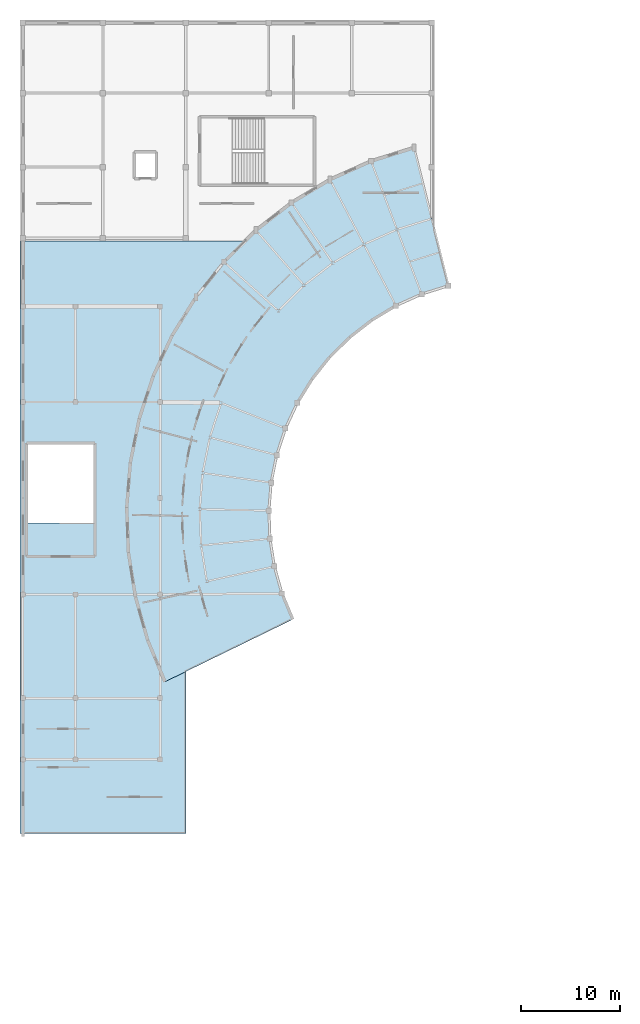
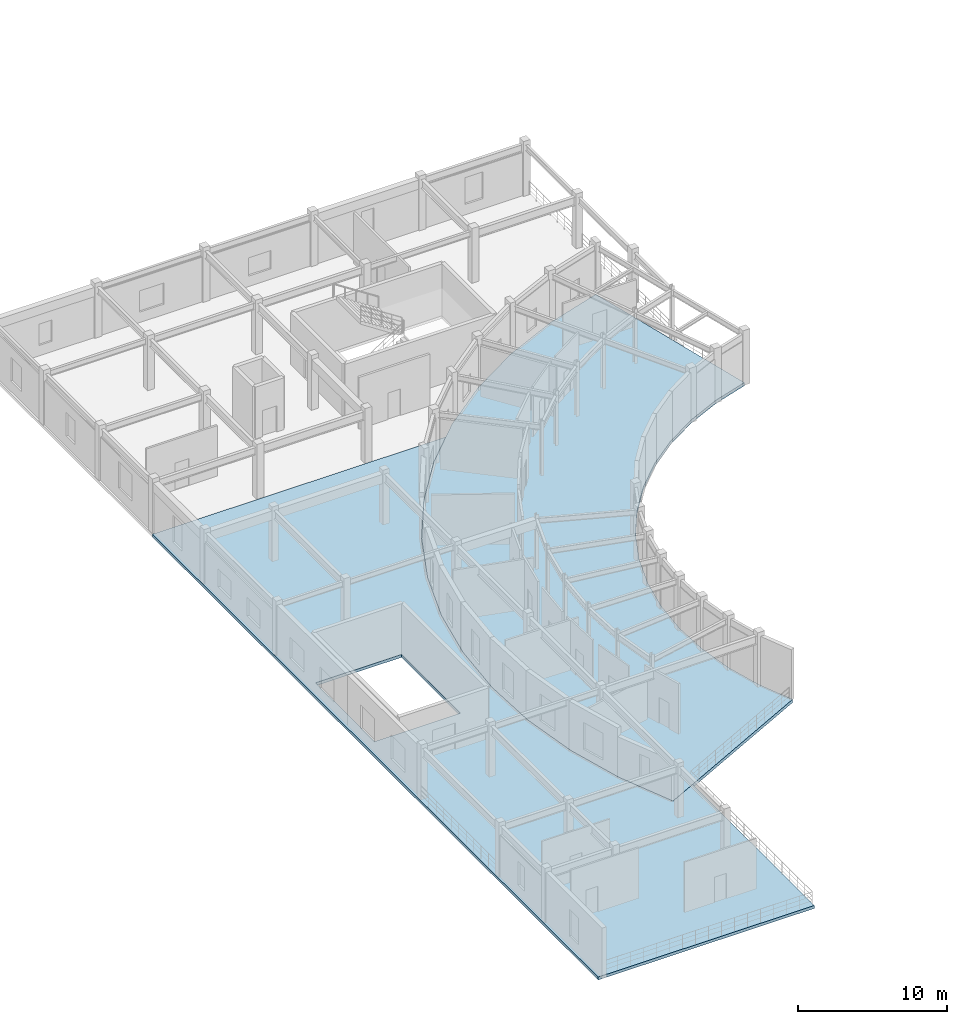
# One storey, part 30 of 60: 2 slabs.
"""IFC4 building model written with IfcOpenShell, lengths in metres."""

from ifc_helpers import new_model, si_unit, direction, frame, origin, place, context, subcontext, project, spatial, polyline, outline, extrude, material, layer, layer_set, type_object, element, save


model = new_model("IFC4")

# Units and contexts
model_context = context("Model", 3, precision=1e-05, world=origin(), true_north=direction((0.0, 1.0)))
body_context = subcontext(model_context, "Body", "Model", "MODEL_VIEW")
ifc_project = project(units=[si_unit("LENGTHUNIT", "METRE"), si_unit("AREAUNIT", "SQUARE_METRE"), si_unit("VOLUMEUNIT", "CUBIC_METRE"), si_unit("PLANEANGLEUNIT", "RADIAN"), si_unit("MASSUNIT", "GRAM", prefix="KILO")], contexts=[model_context])

# Site, building, storey
site_placement = place(None, origin())
site = spatial("IfcSite", under=ifc_project, at=site_placement, CompositionType="ELEMENT")
building_placement = place(site_placement, origin())
building = spatial("IfcBuilding", under=site, at=building_placement, Name="Cinderbank Siding Concert Hall", CompositionType="ELEMENT")
storey_placement = place(building_placement, frame((0.0, 0.0, 14.699951171875)))
storey = spatial("IfcBuildingStorey", under=building, at=storey_placement, Name="L04", CompositionType="ELEMENT", Elevation=14.699951171875)

# Slabs
ifc_material = material(Name="Reinforced concrete AS 3600 N50 (50 MPa)", Category="concrete")
ifc_layer_1 = layer(ifc_material, 0.260009765625)
ifc_layer_set_1 = layer_set([ifc_layer_1], Name="Reinforced concrete AS 3600 N50 (50 MPa)")
slab_type_1 = type_object("IfcSlabType", Name="SL-03 Slab 260mm", PredefinedType="FLOOR", material=ifc_layer_set_1)
slab_1_placement = place(storey_placement, frame((0.0, 0.0, -0.260009765625)))
element("IfcSlab", 1, at=slab_1_placement, inside=storey, type_object=slab_type_1, Name="L04 Education & Administration Arc Slab", PredefinedType="FLOOR", context=body_context, shape_type="SweptSolid", body=[
    extrude(outline(polyline([(46.710205078125, 105.259521484375), (50.19384765625, 91.287109375), (47.477294921875, 90.435791015625), (44.880859375, 89.268798828125), (42.44091796875, 87.802734375), (40.19140625, 86.05810546875), (38.16455078125, 84.05908203125), (36.388427734375, 81.83447265625), (34.888427734375, 79.4150390625), (33.685302734375, 76.8349609375), (32.796142578125, 74.130615234375), (32.233642578125, 71.340087890625), (32.00537109375, 68.502685546875), (32.114501953125, 65.657958984375), (32.559814453125, 62.846435546875), (33.3349609375, 60.107177734375), (34.428955078125, 57.47900390625), (21.486328125, 51.16650390625), (19.73583984375, 55.37158203125), (18.495849609375, 59.754150390625), (17.783203125, 64.252685546875), (17.6083984375, 68.80419921875), (17.9736328125, 73.34423828125), (18.8740234375, 77.80908203125), (20.296630859375, 82.135986328125), (22.221435546875, 86.263916015625), (24.62158203125, 90.135009765625), (27.463134765625, 93.694580078125), (30.706298828125, 96.892578125), (34.305419921875, 99.684326171875), (38.20947265625, 102.0302734375), (42.364013671875, 103.897216796875), (46.710205078125, 105.259521484375)])), origin(), (0.0, 0.0, 1.0), 0.260009765625),
])
ifc_layer_2 = layer(ifc_material, 0.239990234375)
ifc_layer_set_2 = layer_set([ifc_layer_2], Name="Reinforced concrete AS 3600 N50 (50 MPa)")
slab_type_2 = type_object("IfcSlabType", Name="SL-06 Slab 240mm", PredefinedType="FLOOR", material=ifc_layer_set_2)
slab_2_placement = place(storey_placement, frame((0.0, 0.0, -0.239990234375)))
element("IfcSlab", 2, at=slab_2_placement, inside=storey, type_object=slab_type_2, Name="L04 WL Slab", PredefinedType="FLOOR", context=body_context, shape_type="SweptSolid", body=[
    extrude(outline(polyline([(6.800048828125, 95.800048828125), (29.59814453125, 95.800048828125), (27.463134765625, 93.694580078125), (24.62158203125, 90.135009765625), (22.221435546875, 86.263916015625), (20.296630859375, 82.135986328125), (18.8740234375, 77.80908203125), (17.9736328125, 73.34423828125), (17.6083984375, 68.80419921875), (17.783203125, 64.252685546875), (18.495849609375, 59.754150390625), (19.73583984375, 55.37158203125), (21.486328125, 51.16650390625), (23.60009765625, 52.197509765625), (23.60009765625, 35.800048828125), (6.800048828125, 35.800048828125), (6.800048828125, 95.800048828125)]), holes=[polyline([(14.260009765625, 67.25), (14.260009765625, 75.199951171875), (7.60009765625, 75.199951171875), (7.60009765625, 67.25), (14.260009765625, 67.25)])]), origin(), (0.0, 0.0, 1.0), 0.239990234375),
])

save(model, "model.ifc")
